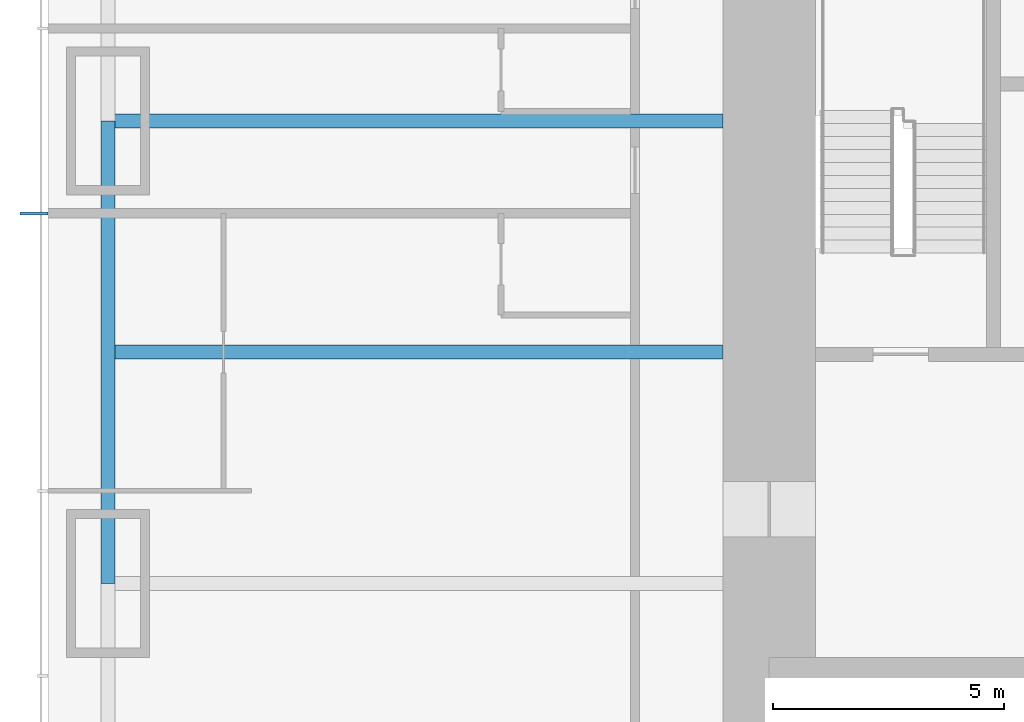
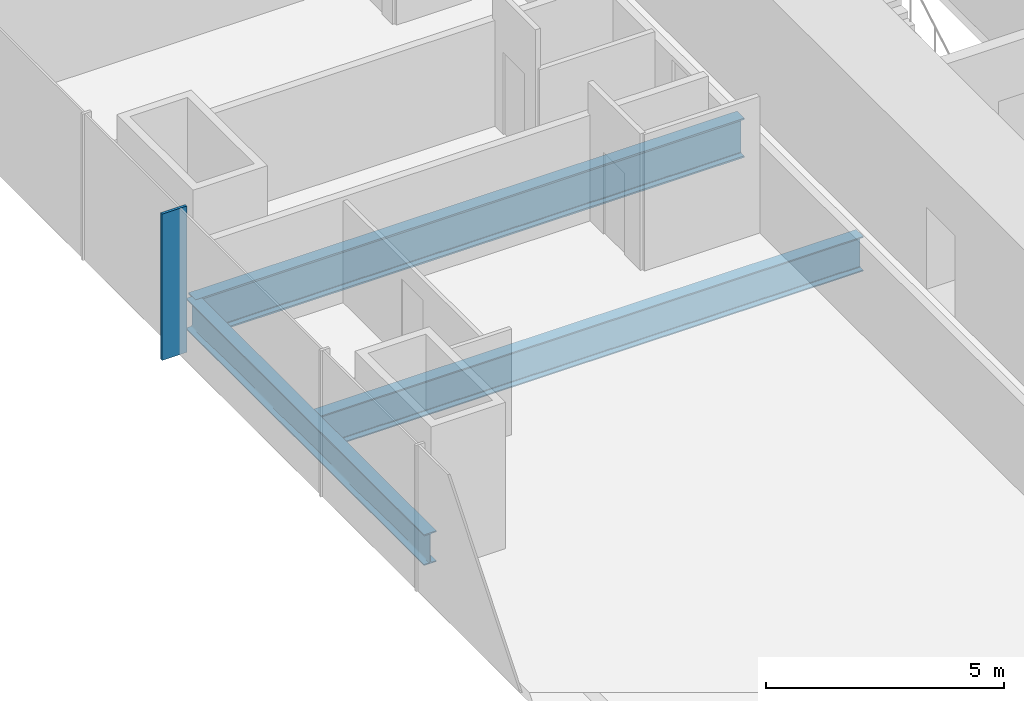
# One storey, part 3 of 16: 3 beams, 1 member, 1 element without a shape of its own.
"""IFC4 building model written with IfcOpenShell, lengths in metres."""

from ifc_helpers import new_model, si_unit, direction, frame, origin, origin_2d, place, context, subcontext, project, spatial, rectangle, i_section, extrude, material, material_profile, profile_set, type_object, element, aggregate, save


model = new_model("IFC4")

# Units and contexts
model_context = context("Model", 3, precision=1e-05, world=origin(), true_north=direction((0.0, 1.0)))
body_context = subcontext(model_context, "Body", "Model", "MODEL_VIEW")
ifc_project = project(units=[si_unit("LENGTHUNIT", "METRE"), si_unit("AREAUNIT", "SQUARE_METRE"), si_unit("VOLUMEUNIT", "CUBIC_METRE"), si_unit("PLANEANGLEUNIT", "RADIAN"), si_unit("MASSUNIT", "GRAM", prefix="KILO")], contexts=[model_context])

# Site, building, storey
site_placement = place(None, origin())
site = spatial("IfcSite", under=ifc_project, at=site_placement, CompositionType="ELEMENT")
building_placement = place(site_placement, origin())
building = spatial("IfcBuilding", under=site, at=building_placement, Name="Khuree Lantern Residences", CompositionType="ELEMENT")
storey_placement = place(building_placement, frame((0.0, 0.0, 69.75)))
storey = spatial("IfcBuildingStorey", under=building, at=storey_placement, Name="L17", CompositionType="ELEMENT", Elevation=69.75)

# Beams
ifc_material_1 = material(Name="Steel S355", Category="steel")
ifc_material_profile_1 = material_profile(ifc_material_1, i_section(OverallWidth=0.300048828125, OverallDepth=0.889892578125, WebThickness=0.01611328125, FlangeThickness=0.030029296875, FilletRadius=0.030029296875, at=origin_2d()), Name="HE 900 A")
ifc_profile_set_1 = profile_set([ifc_material_profile_1], Name="Steel S355")
beam_type_1 = type_object("IfcBeamType", Name="B-14 SECONDARY BEAM HE 900 A", PredefinedType="BEAM", material=ifc_profile_set_1)
beam_1_placement = place(storey_placement, frame((-29.800048828125, -5.0, -0.695068359375), z_axis=(1.0, 0.0, 0.0), x_axis=(0.0, 1.0, 0.0)))
element("IfcBeam", 1, at=beam_1_placement, inside=storey, type_object=beam_type_1, Name="Secondary beam W3", PredefinedType="BEAM", context=body_context, shape_type="SweptSolid", body=[
    extrude(i_section(OverallWidth=0.300048828125, OverallDepth=0.889892578125, WebThickness=0.01611328125, FlangeThickness=0.030029296875, FilletRadius=0.030029296875, at=origin_2d()), origin(), (0.0, 0.0, 1.0), 13.300048828125),
])
ifc_material_profile_2 = material_profile(ifc_material_1, i_section(OverallWidth=0.300048828125, OverallDepth=0.7900390625, WebThickness=0.014892578125, FlangeThickness=0.028076171875, FilletRadius=0.030029296875, at=origin_2d()), Name="HE 800 A")
ifc_profile_set_2 = profile_set([ifc_material_profile_2], Name="Steel S355")
beam_type_2 = type_object("IfcBeamType", Name="E-14 SPANDREL BEAM HE 800 A", PredefinedType="SPANDREL", material=ifc_profile_set_2)
beam_2_placement = place(storey_placement, frame((-29.800048828125, -10.0, -0.64501953125), z_axis=(0.0, 1.0, 0.0), x_axis=(-1.0, 0.0, 0.0)))
element("IfcBeam", 2, at=beam_2_placement, inside=storey, type_object=beam_type_2, Name="Spandrel beam W3", PredefinedType="SPANDREL", context=body_context, shape_type="SweptSolid", body=[
    extrude(i_section(OverallWidth=0.300048828125, OverallDepth=0.7900390625, WebThickness=0.014892578125, FlangeThickness=0.028076171875, FilletRadius=0.030029296875, at=origin_2d()), origin(), (0.0, 0.0, 1.0), 10.0),
])

# Curtain wall, member
ifc_material_2 = material(Name="Bronze anodised aluminium", Category="aluminium")
curtain_wall_type = type_object("IfcCurtainWallType", Name="CW-T1 TOWER FACE CURTAIN WALL", PredefinedType="USERDEFINED", material=ifc_material_2)
curtain_wall_placement = place(storey_placement, origin())
curtain_wall = element("IfcCurtainWall", 3, at=curtain_wall_placement, inside=storey, type_object=curtain_wall_type, Name="L17 WEST FACE CURTAIN WALL", ObjectType="Stick-built curtain wall", PredefinedType="USERDEFINED")
ifc_material_profile_3 = material_profile(ifc_material_2, rectangle(XDim=0.06494140625, YDim=0.60009765625, at=origin_2d()), Name="F1 65X600")
ifc_profile_set_3 = profile_set([ifc_material_profile_3], Name="Bronze anodised aluminium")
member_type = type_object("IfcMemberType", Name="F1 BRONZE FIN MULLION TOWER 65X600", PredefinedType="MULLION", material=ifc_profile_set_3)
member_placement = place(storey_placement, frame((-31.39990234375, -2.0, 0.0), z_axis=(0.0, 0.0, 1.0), x_axis=(0.0, -1.0, 0.0)))
member = element("IfcMember", 4, at=member_placement, type_object=member_type, Name="L17 WEST FACE FIN MULLION 38", PredefinedType="MULLION", context=body_context, shape_type="SweptSolid", body=[
    extrude(rectangle(XDim=0.06494140625, YDim=0.60009765625, at=origin_2d()), origin(), (0.0, 0.0, 1.0), 3.75),
])
aggregate(curtain_wall, [member])

# Beam
ifc_material_profile_4 = material_profile(ifc_material_1, i_section(OverallWidth=0.302001953125, OverallDepth=1.008056640625, WebThickness=0.02099609375, FlangeThickness=0.0400390625, FilletRadius=0.030029296875, at=origin_2d()), Name="HE 1000 M")
ifc_profile_set_4 = profile_set([ifc_material_profile_4], Name="Steel S355")
beam_type_3 = type_object("IfcBeamType", Name="G-14 GIRDER HE 1000 M", PredefinedType="BEAM", material=ifc_profile_set_4)
beam_3_placement = place(storey_placement, frame((-29.800048828125, 0.0, -0.75390625), z_axis=(1.0, 0.0, 0.0), x_axis=(0.0, 1.0, 0.0)))
element("IfcBeam", 5, at=beam_3_placement, inside=storey, type_object=beam_type_3, Name="Girder W3", PredefinedType="BEAM", context=body_context, shape_type="SweptSolid", body=[
    extrude(i_section(OverallWidth=0.302001953125, OverallDepth=1.008056640625, WebThickness=0.02099609375, FlangeThickness=0.0400390625, FilletRadius=0.030029296875, at=origin_2d()), origin(), (0.0, 0.0, 1.0), 13.300048828125),
])

save(model, "model.ifc")
